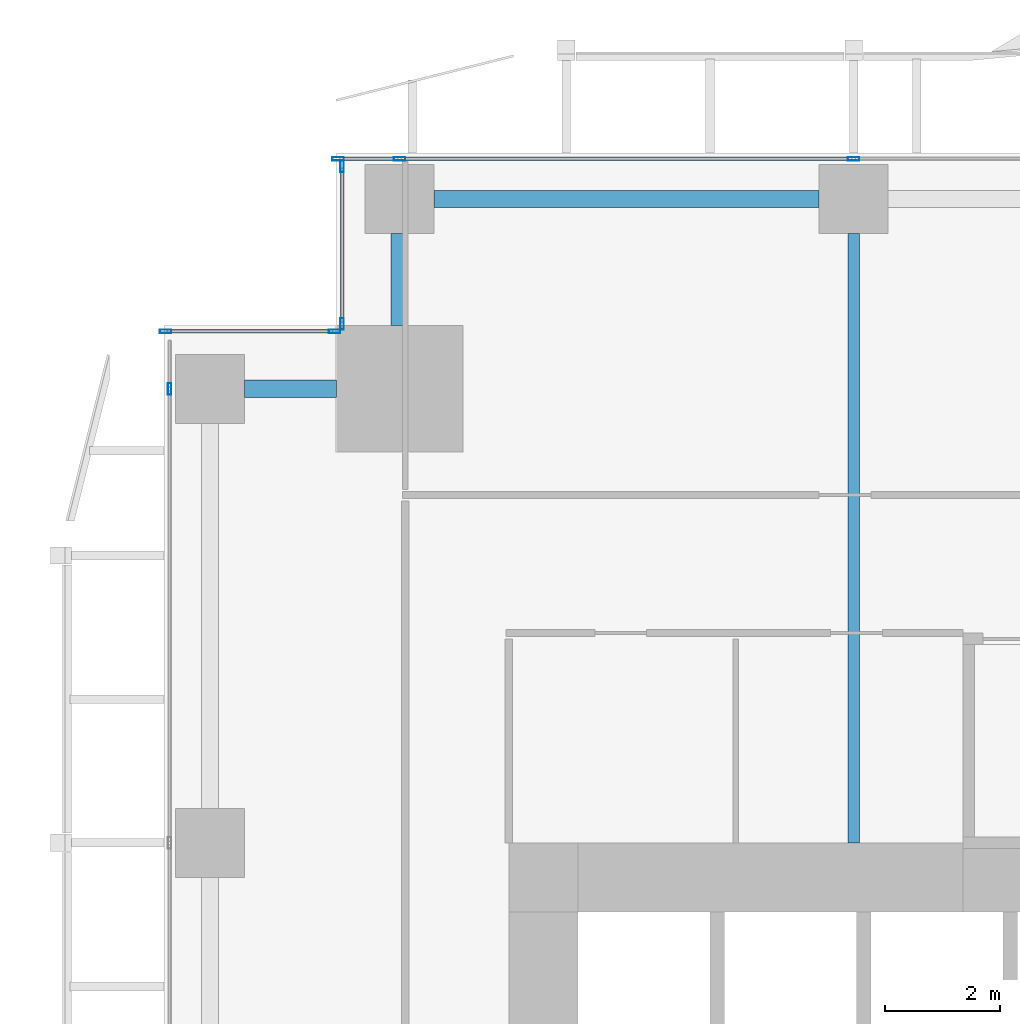
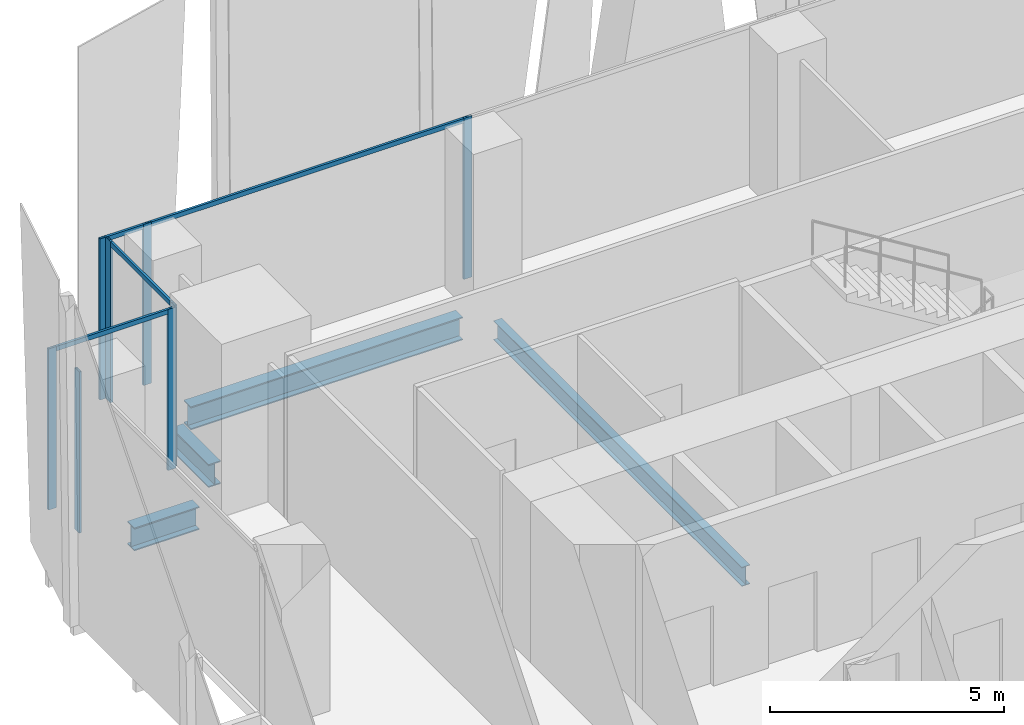
# One storey, part 13 of 35: 12 members, 4 beams, 4 elements without a shape of their own.
"""IFC4 building model written with IfcOpenShell, lengths in metres."""

from ifc_helpers import new_model, si_unit, direction, frame, origin, origin_2d, place, context, subcontext, project, spatial, hollow_rectangle, i_section, extrude, source, transform, mapped, material, material_profile, profile_set, type_object, element, aggregate, save


model = new_model("IFC4")

# Units and contexts
model_context = context("Model", 3, precision=1e-05, world=origin(), true_north=direction((0.0, 1.0)))
body_context = subcontext(model_context, "Body", "Model", "MODEL_VIEW")
ifc_project = project(units=[si_unit("LENGTHUNIT", "METRE"), si_unit("AREAUNIT", "SQUARE_METRE"), si_unit("VOLUMEUNIT", "CUBIC_METRE"), si_unit("PLANEANGLEUNIT", "RADIAN"), si_unit("MASSUNIT", "GRAM", prefix="KILO")], contexts=[model_context])

# Site, building, storey
site_placement = place(None, origin())
site = spatial("IfcSite", under=ifc_project, at=site_placement, CompositionType="ELEMENT")
building_placement = place(site_placement, origin())
building = spatial("IfcBuilding", under=site, at=building_placement, Name="Khomas Fold Tower", CompositionType="ELEMENT")
storey_placement = place(building_placement, frame((0.0, 0.0, 87.0)))
storey = spatial("IfcBuildingStorey", under=building, at=storey_placement, Name="L18", CompositionType="ELEMENT", Elevation=87.0)

# Beams
ifc_material_1 = material(Name="Steel S355", Category="steel")
ifc_material_profile_1 = material_profile(ifc_material_1, i_section(OverallWidth=0.199951171875, OverallDepth=0.5, WebThickness=0.01025390625, FlangeThickness=0.01611328125, at=origin_2d()), Name="IPE 500")
ifc_profile_set_1 = profile_set([ifc_material_profile_1], Name="Steel S355")
beam_type_1 = type_object("IfcBeamType", Name="IPE 500 beam JB5", PredefinedType="BEAM", material=ifc_profile_set_1)
shared_shape_1 = source(origin(), body_context, "Body", "SweptSolid", [
    extrude(i_section(OverallWidth=0.199951171875, OverallDepth=0.5, WebThickness=0.01025390625, FlangeThickness=0.01611328125, at=origin_2d()), origin(), (0.0, 0.0, 1.0), 10.60009765625),
])
beam_1_placement = place(storey_placement, frame((12.0, 42.0, -0.550048828125), z_axis=(0.0, 1.0, 0.0), x_axis=(-1.0, 0.0, 0.0)))
element("IfcBeam", 1, at=beam_1_placement, inside=storey, type_object=beam_type_1, Name="JB5", PredefinedType="BEAM", context=body_context, shape_type="MappedRepresentation", body=[
    mapped(shared_shape_1, transform((0.0, 0.0, 0.0))),
])
ifc_material_2 = material(Name="Steel S355", Category="steel")
ifc_material_profile_2 = material_profile(ifc_material_2, i_section(OverallWidth=0.300048828125, OverallDepth=0.60009765625, WebThickness=0.015380859375, FlangeThickness=0.030029296875, at=origin_2d()), Name="HE 600 B")
ifc_profile_set_2 = profile_set([ifc_material_profile_2], Name="Steel S355")
beam_type_2 = type_object("IfcBeamType", Name="HE 600 B spandrel SB1", PredefinedType="SPANDREL", material=ifc_profile_set_2)
shared_shape_2 = source(origin(), body_context, "Body", "SweptSolid", [
    extrude(i_section(OverallWidth=0.300048828125, OverallDepth=0.60009765625, WebThickness=0.015380859375, FlangeThickness=0.030029296875, at=origin_2d()), origin(), (0.0, 0.0, 1.0), 6.699951171875),
])
beam_2_placement = place(storey_placement, frame((4.699951171875, 53.199951171875, -0.60009765625), z_axis=(1.0, 0.0, 0.0), x_axis=(0.0, 1.0, 0.0)))
element("IfcBeam", 2, at=beam_2_placement, inside=storey, type_object=beam_type_2, Name="SB1", PredefinedType="SPANDREL", context=body_context, shape_type="MappedRepresentation", body=[
    mapped(shared_shape_2, transform((0.0, 0.0, 0.0))),
])
shared_shape_3 = source(origin(), body_context, "Body", "SweptSolid", [
    extrude(i_section(OverallWidth=0.300048828125, OverallDepth=0.60009765625, WebThickness=0.015380859375, FlangeThickness=0.030029296875, at=origin_2d()), origin(), (0.0, 0.0, 1.0), 1.60009765625),
])
for number, where, z_axis, x_axis, name in (
    (3, (4.10009765625, 51.0, -0.60009765625), (0.0, 1.0, 0.0), (-1.0, 0.0, 0.0), "SB1"),
    (4, (1.39990234375, 49.89990234375, -0.60009765625), (1.0, 0.0, 0.0), (0.0, 1.0, 0.0), "SB1"),
):
    element("IfcBeam", number, at=place(storey_placement, frame(where, z_axis=z_axis, x_axis=x_axis)), inside=storey, type_object=beam_type_2, Name=name, PredefinedType="SPANDREL", context=body_context, shape_type="MappedRepresentation", body=[
        mapped(shared_shape_3, transform((0.0, 0.0, 0.0))),
    ])

# Curtain wall, members
ifc_material_3 = material(Name="Aluminium framed double glazing", Category="aluminium")
curtain_wall_type = type_object("IfcCurtainWallType", Name="SK-Unitised clear-glass wall, growing floors CW1", PredefinedType="NOTDEFINED", material=ifc_material_3)
curtain_wall_1_placement = place(storey_placement, origin())
curtain_wall_1 = element("IfcCurtainWall", 5, at=curtain_wall_1_placement, inside=storey, type_object=curtain_wall_type, Name="CW1 run L18 06-1", PredefinedType="NOTDEFINED")
ifc_material_4 = material(Name="Aluminium", Category="aluminium")
ifc_material_profile_3 = material_profile(ifc_material_4, hollow_rectangle(XDim=0.06005859375, YDim=0.1201171875, WallThickness=0.00390625, at=origin_2d()), Name="SK-Unitised clear-glass wall, growing floors transom CW1-T")
ifc_profile_set_3 = profile_set([ifc_material_profile_3], Name="Aluminium")
member_type_1 = type_object("IfcMemberType", Name="SK-Unitised clear-glass wall, growing floors transom CW1-T", PredefinedType="USERDEFINED", material=ifc_profile_set_3)
shared_shape_4 = source(origin(), body_context, "Body", "SweptSolid", [
    extrude(hollow_rectangle(XDim=0.06005859375, YDim=0.1201171875, WallThickness=0.00390625, at=origin_2d()), origin(), (0.0, 0.0, 1.0), 7.840087890625),
])
member_1_placement = place(storey_placement, frame((11.969970703125, 53.89990234375, 4.139892578125), z_axis=(-1.0, 0.0, 0.0), x_axis=(0.0, -1.0, 0.0)))
member_1 = element("IfcMember", 6, at=member_1_placement, type_object=member_type_1, Name="CW1 transom 4", ObjectType="TRANSOM", PredefinedType="USERDEFINED", context=body_context, shape_type="MappedRepresentation", body=[
    mapped(shared_shape_4, transform((0.0, 0.0, 0.0))),
])
shared_shape_5 = source(origin(), body_context, "Body", "SweptSolid", [
    extrude(hollow_rectangle(XDim=0.06005859375, YDim=0.1201171875, WallThickness=0.00390625, at=origin_2d()), origin(), (0.0, 0.0, 1.0), 1.010009765625),
])
member_2_placement = place(storey_placement, frame((4.070068359375, 53.89990234375, 4.139892578125), z_axis=(-1.0, 0.0, 0.0), x_axis=(0.0, -1.0, 0.0)))
member_2 = element("IfcMember", 7, at=member_2_placement, type_object=member_type_1, Name="CW1 transom 5", ObjectType="TRANSOM", PredefinedType="USERDEFINED", context=body_context, shape_type="MappedRepresentation", body=[
    mapped(shared_shape_5, transform((0.0, 0.0, 0.0))),
])

# Curtain wall, member
curtain_wall_2_placement = place(storey_placement, origin())
curtain_wall_2 = element("IfcCurtainWall", 8, at=curtain_wall_2_placement, inside=storey, type_object=curtain_wall_type, Name="CW1 corner return L18 07", PredefinedType="NOTDEFINED")
shared_shape_6 = source(origin(), body_context, "Body", "SweptSolid", [
    extrude(hollow_rectangle(XDim=0.06005859375, YDim=0.1201171875, WallThickness=0.00390625, at=origin_2d()), origin(), (0.0, 0.0, 1.0), 2.679931640625),
])
member_3_placement = place(storey_placement, frame((3.10009765625, 53.739990234375, 4.139892578125), z_axis=(0.0, -1.0, 0.0), x_axis=(1.0, 0.0, 0.0)))
member_3 = element("IfcMember", 9, at=member_3_placement, type_object=member_type_1, Name="CW1 transom 1", ObjectType="TRANSOM", PredefinedType="USERDEFINED", context=body_context, shape_type="MappedRepresentation", body=[
    mapped(shared_shape_6, transform((0.0, 0.0, 0.0))),
])

curtain_wall_3_placement = place(storey_placement, origin())
curtain_wall_3 = element("IfcCurtainWall", 10, at=curtain_wall_3_placement, inside=storey, type_object=curtain_wall_type, Name="CW1 corner return L18 08", PredefinedType="NOTDEFINED")
shared_shape_7 = source(origin(), body_context, "Body", "SweptSolid", [
    extrude(hollow_rectangle(XDim=0.06005859375, YDim=0.1201171875, WallThickness=0.00390625, at=origin_2d()), origin(), (0.0, 0.0, 1.0), 2.8798828125),
])
member_4_placement = place(storey_placement, frame((2.93994140625, 50.89990234375, 4.139892578125), z_axis=(-1.0, 0.0, 0.0), x_axis=(0.0, -1.0, 0.0)))
member_4 = element("IfcMember", 11, at=member_4_placement, type_object=member_type_1, Name="CW1 transom 1", ObjectType="TRANSOM", PredefinedType="USERDEFINED", context=body_context, shape_type="MappedRepresentation", body=[
    mapped(shared_shape_7, transform((0.0, 0.0, 0.0))),
])

# Member
ifc_material_5 = material(Name="Aluminium", Category="aluminium")
ifc_material_profile_4 = material_profile(ifc_material_5, hollow_rectangle(XDim=0.06005859375, YDim=0.199951171875, WallThickness=0.00390625, at=origin_2d()), Name="SK-Unitised clear-glass wall, growing floors mullion CW1-M")
ifc_profile_set_4 = profile_set([ifc_material_profile_4], Name="Aluminium")
member_type_2 = type_object("IfcMemberType", Name="SK-Unitised clear-glass wall, growing floors mullion CW1-M", PredefinedType="MULLION", material=ifc_profile_set_4)
shared_shape_8 = source(origin(), body_context, "Body", "SweptSolid", [
    extrude(hollow_rectangle(XDim=0.06005859375, YDim=0.199951171875, WallThickness=0.00390625, at=origin_2d()), origin(), (0.0, 0.0, 1.0), 4.199951171875),
])
member_5_placement = place(storey_placement, frame((12.0, 53.89990234375, 0.0), z_axis=(0.0, 0.0, 1.0), x_axis=(0.0, -1.0, 0.0)))
member_5 = element("IfcMember", 12, at=member_5_placement, type_object=member_type_2, Name="CW1 mullion 4", PredefinedType="MULLION", context=body_context, shape_type="MappedRepresentation", body=[
    mapped(shared_shape_8, transform((0.0, 0.0, 0.0))),
])

member_6_placement = place(storey_placement, frame((4.10009765625, 53.89990234375, 0.0), z_axis=(0.0, 0.0, 1.0), x_axis=(0.0, -1.0, 0.0)))
member_6 = element("IfcMember", 13, at=member_6_placement, type_object=member_type_2, Name="CW1 mullion 5", PredefinedType="MULLION", context=body_context, shape_type="MappedRepresentation", body=[
    mapped(shared_shape_8, transform((0.0, 0.0, 0.0))),
])

member_7_placement = place(storey_placement, frame((3.030029296875, 53.89990234375, 0.0), z_axis=(0.0, 0.0, 1.0), x_axis=(0.0, -1.0, 0.0)))
member_7 = element("IfcMember", 14, at=member_7_placement, type_object=member_type_2, Name="CW1 mullion 6", PredefinedType="MULLION", context=body_context, shape_type="MappedRepresentation", body=[
    mapped(shared_shape_8, transform((0.0, 0.0, 0.0))),
])

aggregate(curtain_wall_1, [member_5, member_6, member_7, member_1, member_2])

member_8_placement = place(storey_placement, frame((3.10009765625, 53.77001953125, 0.0), z_axis=(0.0, 0.0, 1.0), x_axis=(1.0, 0.0, 0.0)))
member_8 = element("IfcMember", 15, at=member_8_placement, type_object=member_type_2, Name="CW1 mullion 1", PredefinedType="MULLION", context=body_context, shape_type="MappedRepresentation", body=[
    mapped(shared_shape_8, transform((0.0, 0.0, 0.0))),
])

member_9_placement = place(storey_placement, frame((3.10009765625, 51.030029296875, 0.0), z_axis=(0.0, 0.0, 1.0), x_axis=(1.0, 0.0, 0.0)))
member_9 = element("IfcMember", 16, at=member_9_placement, type_object=member_type_2, Name="CW1 mullion 2", PredefinedType="MULLION", context=body_context, shape_type="MappedRepresentation", body=[
    mapped(shared_shape_8, transform((0.0, 0.0, 0.0))),
])

aggregate(curtain_wall_2, [member_8, member_9, member_3])

member_10_placement = place(storey_placement, frame((2.969970703125, 50.89990234375, 0.0), z_axis=(0.0, 0.0, 1.0), x_axis=(0.0, -1.0, 0.0)))
member_10 = element("IfcMember", 17, at=member_10_placement, type_object=member_type_2, Name="CW1 mullion 1", PredefinedType="MULLION", context=body_context, shape_type="MappedRepresentation", body=[
    mapped(shared_shape_8, transform((0.0, 0.0, 0.0))),
])

member_11_placement = place(storey_placement, frame((0.030029296875, 50.89990234375, 0.0), z_axis=(0.0, 0.0, 1.0), x_axis=(0.0, -1.0, 0.0)))
member_11 = element("IfcMember", 18, at=member_11_placement, type_object=member_type_2, Name="CW1 mullion 2", PredefinedType="MULLION", context=body_context, shape_type="MappedRepresentation", body=[
    mapped(shared_shape_8, transform((0.0, 0.0, 0.0))),
])

aggregate(curtain_wall_3, [member_10, member_11, member_4])

# Curtain wall, member
curtain_wall_4_placement = place(storey_placement, origin())
curtain_wall_4 = element("IfcCurtainWall", 19, at=curtain_wall_4_placement, inside=storey, type_object=curtain_wall_type, Name="CW1 run L18 09-0", PredefinedType="NOTDEFINED")
member_12_placement = place(storey_placement, frame((0.10009765625, 49.89990234375, 0.0), z_axis=(0.0, 0.0, 1.0), x_axis=(1.0, 0.0, 0.0)))
member_12 = element("IfcMember", 20, at=member_12_placement, type_object=member_type_2, Name="CW1 mullion 2", PredefinedType="MULLION", context=body_context, shape_type="MappedRepresentation", body=[
    mapped(shared_shape_8, transform((0.0, 0.0, 0.0))),
])
aggregate(curtain_wall_4, [member_12])

save(model, "model.ifc")
